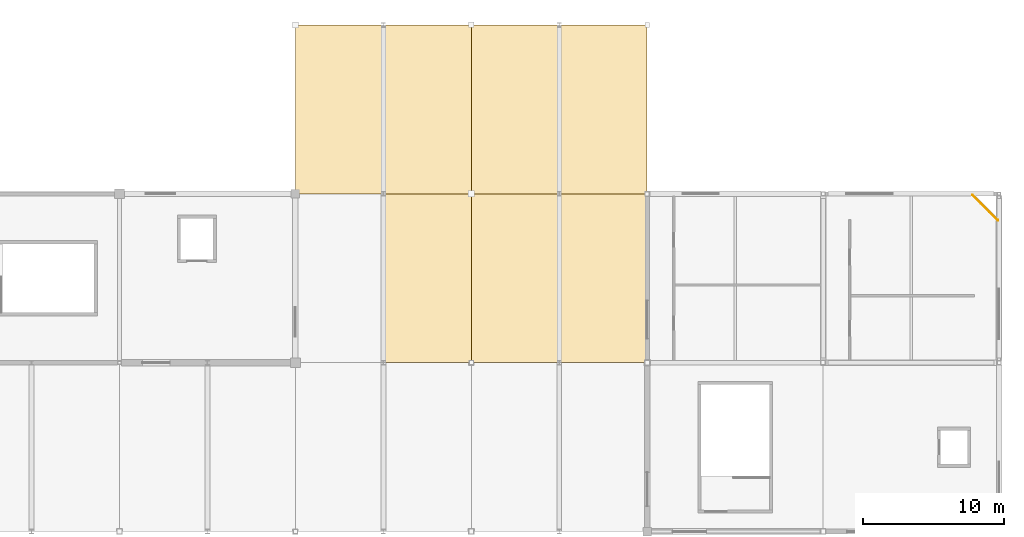
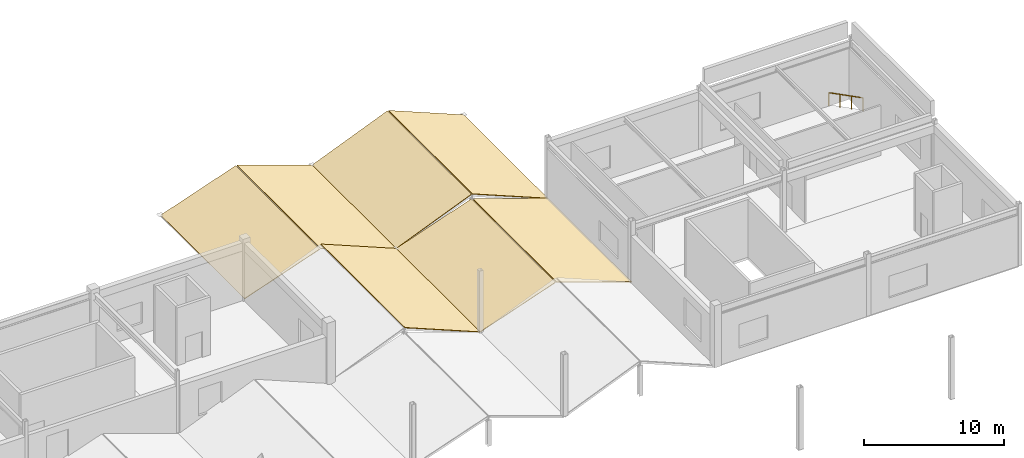
# One storey, part 76 of 76: 7 coverings, 1 railing.
"""IFC4 building model written with IfcOpenShell, lengths in metres."""

import ifcopenshell
import ifcopenshell.guid

model = None  # the IFC model being written
_history = None  # IfcOwnerHistory: only IFC2X3 demands one
_inside = {}  # id of a spatial element -> (the spatial element, [elements in it])
_under = {}  # id of a project, library or spatial element -> (it, [spatial elements below it])
_declared = {}  # id of a project -> (the project, [libraries it declares])
_typed = {}  # id of a type object -> (the type object, [elements of that type])
_made_of = {}  # id of a material, layer set ... -> (it, [elements and type objects made of it])


def new_model(schema):
    """Start an empty IFC model of exactly this schema.

    Asked for "IFC4X3", IfcOpenShell would pick the latest addendum, in which some entities
    have other attributes; the version numbers below select the first issue.
    IFC2X3 requires an IfcOwnerHistory on every rooted entity: one is made here for all.
    """
    global model, _history
    if schema == "IFC4X3":
        model = ifcopenshell.file(schema_version=(4, 3, 0, 0))
    else:
        model = ifcopenshell.file(schema=schema)
    _inside.clear()
    _under.clear()
    _declared.clear()
    _typed.clear()
    _made_of.clear()
    _history = None
    if model.schema == "IFC2X3":
        org = make("IfcOrganization", Name="unknown")
        user = make(
            "IfcPersonAndOrganization",
            ThePerson=make("IfcPerson", FamilyName="unknown"),
            TheOrganization=org,
        )
        app = make(
            "IfcApplication",
            ApplicationDeveloper=org,
            Version="unknown",
            ApplicationFullName="unknown",
            ApplicationIdentifier="unknown",
        )
        _history = make(
            "IfcOwnerHistory",
            OwningUser=user,
            OwningApplication=app,
            ChangeAction="ADDED",
            CreationDate=0,
        )
    return model


def make(cls, **values):
    """One entity of the class cls with the attributes given. An attribute that is None is left unset."""
    return model.create_entity(
        cls, **{name: value for name, value in values.items() if value is not None}
    )


def rooted(cls, **values):
    """An entity with a GlobalId (a new one), such as an element, a storey or a relation."""
    return make(cls, GlobalId=ifcopenshell.guid.new(), OwnerHistory=_history, **values)


def si_unit(unit_type, name, prefix=None):
    """IfcSIUnit, for example si_unit("LENGTHUNIT", "METRE", prefix="MILLI")."""
    return make("IfcSIUnit", UnitType=unit_type, Prefix=prefix, Name=name)


def assignment(units):
    """IfcUnitAssignment: the units of a project."""
    return None if units is None else make("IfcUnitAssignment", Units=units)


def point(xyz):
    """IfcCartesianPoint."""
    return None if xyz is None else make("IfcCartesianPoint", Coordinates=xyz)


def direction(xyz):
    """IfcDirection."""
    return None if xyz is None else make("IfcDirection", DirectionRatios=xyz)


def frame(location, z_axis=None, x_axis=None):
    """IfcAxis2Placement3D, a coordinate frame: its origin and axes. An axis left out is left unset."""
    return make(
        "IfcAxis2Placement3D",
        Location=point(location),
        Axis=direction(z_axis),
        RefDirection=direction(x_axis),
    )


def frame_2d(location, x_axis=None):
    """IfcAxis2Placement2D, a coordinate frame in the plane: its origin and x axis."""
    return make(
        "IfcAxis2Placement2D", Location=point(location), RefDirection=direction(x_axis)
    )


def origin():
    """The frame at (0, 0, 0) with its axes left unset."""
    return frame((0.0, 0.0, 0.0))


def origin_2d():
    """The frame at (0, 0) in the plane with its x axis left unset."""
    return frame_2d((0.0, 0.0))


def place(relative_to, where):
    """IfcLocalPlacement: puts the frame where relative to a parent placement (None: the world)."""
    return make(
        "IfcLocalPlacement", PlacementRelTo=relative_to, RelativePlacement=where
    )


def context(
    kind, dimensions, precision=None, world=None, true_north=None, identifier=None
):
    """IfcGeometricRepresentationContext, for example the 3D "Model" context."""
    return make(
        "IfcGeometricRepresentationContext",
        ContextIdentifier=identifier,
        ContextType=kind,
        CoordinateSpaceDimension=dimensions,
        Precision=precision,
        WorldCoordinateSystem=world,
        TrueNorth=true_north,
    )


def subcontext(parent, identifier, kind, view, scale=None):
    """IfcGeometricRepresentationSubContext, for example "Body" below "Model"."""
    return make(
        "IfcGeometricRepresentationSubContext",
        ContextIdentifier=identifier,
        ContextType=kind,
        ParentContext=parent,
        TargetScale=scale,
        TargetView=view,
    )


def project(units=None, contexts=None):
    """IfcProject with its units and contexts."""
    return rooted(
        "IfcProject",
        Name="project",
        RepresentationContexts=contexts,
        UnitsInContext=assignment(units),
    )


def spatial(cls, under=None, at=None, **own):
    """A site, building, storey or space (cls), placed at a placement, below another one or the project."""
    s = rooted(cls, ObjectPlacement=at, **own)
    if under is not None:
        _under.setdefault(under.id(), (under, []))[1].append(s)
    return s


def polyline(points):
    """IfcPolyline through the points."""
    return make("IfcPolyline", Points=[point(p) for p in points])


def profile(cls, at=None, kind="AREA", **sizes):
    """A parametric profile (cls). Its sizes go by their IFC names, for example OverallWidth=200.0."""
    return make(cls, ProfileType=kind, Position=at, **sizes)


def circle(**sizes):
    """IfcCircleProfileDef."""
    return profile("IfcCircleProfileDef", **sizes)


def outline(outer, holes=None, kind="AREA"):
    """IfcArbitraryClosedProfileDef: a profile drawn as a closed curve; with holes, ...WithVoids."""
    if holes is None:
        return make("IfcArbitraryClosedProfileDef", ProfileType=kind, OuterCurve=outer)
    return make(
        "IfcArbitraryProfileDefWithVoids",
        ProfileType=kind,
        OuterCurve=outer,
        InnerCurves=holes,
    )


def extrude(swept, where, along, depth):
    """IfcExtrudedAreaSolid: the profile swept, set in the frame where, extruded along a direction by depth."""
    return make(
        "IfcExtrudedAreaSolid",
        SweptArea=swept,
        Position=where,
        ExtrudedDirection=direction(along),
        Depth=depth,
    )


def shape(context_of_items, identifier, shape_type, items):
    """IfcShapeRepresentation: the items that make up one representation, for example the "Body"."""
    return make(
        "IfcShapeRepresentation",
        ContextOfItems=context_of_items,
        RepresentationIdentifier=identifier,
        RepresentationType=shape_type,
        Items=items,
    )


def material(Name=None, Category=None):
    """IfcMaterial."""
    return make("IfcMaterial", Name=Name, Category=Category)


def layer(
    of_material, thickness, ventilated=None, Name=None, Category=None, Priority=None
):
    """IfcMaterialLayer: one layer of a wall or slab, of a material (None: an air gap)."""
    return make(
        "IfcMaterialLayer",
        Material=of_material,
        LayerThickness=thickness,
        IsVentilated=ventilated,
        Name=Name,
        Category=Category,
        Priority=Priority,
    )


def layer_set(layers, Name=None):
    """IfcMaterialLayerSet."""
    return make("IfcMaterialLayerSet", MaterialLayers=layers, LayerSetName=Name)


def made_of(thing, what):
    """Note that an element or type object is made of a material, layer set ...; save() writes the relation."""
    if what is not None:
        _made_of.setdefault(what.id(), (what, []))[1].append(thing)
    return thing


def type_object(cls, material=None, **own):
    """A type object (cls), such as IfcWallType, which elements share."""
    return made_of(rooted(cls, **own), material)


def element(
    cls,
    number,
    at=None,
    inside=None,
    cuts=None,
    type_object=None,
    material=None,
    context=None,
    identifier="Body",
    shape_type=None,
    held_by="IfcProductDefinitionShape",
    body=None,
    shapes=None,
    **own,
):
    """One element of the class cls, such as IfcWall. Its Tag is "e" and its number.

    at: its placement. inside: the storey or other place that contains it. cuts: it is an
    opening in that element (IfcRelVoidsElement). A single representation is given by context,
    identifier, shape_type and body (its items); several are given by shapes. held_by: the class
    of the entity that holds the representations. save() writes the other relations.
    """
    e = rooted(cls, Tag="e%d" % number, ObjectPlacement=at, **own)
    if body is not None:
        shapes = [shape(context, identifier, shape_type, body)]
    if shapes is not None:
        e.Representation = make(held_by, Representations=shapes)
    if inside is not None:
        _inside.setdefault(inside.id(), (inside, []))[1].append(e)
    if cuts is not None:
        rooted(
            "IfcRelVoidsElement", RelatingBuildingElement=cuts, RelatedOpeningElement=e
        )
    if type_object is not None:
        _typed.setdefault(type_object.id(), (type_object, []))[1].append(e)
    return made_of(e, material)


def aggregate(whole, parts):
    """IfcRelAggregates: a whole, such as a stair, and the parts it consists of."""
    return rooted("IfcRelAggregates", RelatingObject=whole, RelatedObjects=parts)


def save(model, path):
    """Write the relations noted so far, then the file.

    IfcRelAggregates (storeys below a building ...), IfcRelContainedInSpatialStructure (elements
    in a storey), IfcRelDefinesByType, IfcRelAssociatesMaterial and IfcRelDeclares: one each for
    every whole, place, type object, material and project.
    """
    for whole, parts in _under.values():
        aggregate(whole, parts)
    for where, things in _inside.values():
        rooted(
            "IfcRelContainedInSpatialStructure",
            RelatedElements=things,
            RelatingStructure=where,
        )
    for kind, things in _typed.values():
        rooted("IfcRelDefinesByType", RelatedObjects=things, RelatingType=kind)
    for what, things in _made_of.values():
        rooted("IfcRelAssociatesMaterial", RelatedObjects=things, RelatingMaterial=what)
    for by, libraries in _declared.values():
        rooted("IfcRelDeclares", RelatingContext=by, RelatedDefinitions=libraries)
    model.write(path)


model = new_model("IFC4")

# Units and contexts
model_context = context("Model", 3, precision=1e-05, world=origin(), true_north=direction((0.0, 1.0)))
body_context = subcontext(model_context, "Body", "Model", "MODEL_VIEW")
ifc_project = project(units=[si_unit("LENGTHUNIT", "METRE"), si_unit("AREAUNIT", "SQUARE_METRE"), si_unit("VOLUMEUNIT", "CUBIC_METRE"), si_unit("PLANEANGLEUNIT", "RADIAN"), si_unit("MASSUNIT", "GRAM", prefix="KILO")], contexts=[model_context])

# Site, building, storey
site_placement = place(None, origin())
site = spatial("IfcSite", under=ifc_project, at=site_placement, CompositionType="ELEMENT")
building_placement = place(site_placement, origin())
building = spatial("IfcBuilding", under=site, at=building_placement, Name="Kazenohara Klinker Stadium", CompositionType="ELEMENT")
storey_placement = place(building_placement, frame((0.0, 0.0, 25.800048828125)))
storey = spatial("IfcBuildingStorey", under=building, at=storey_placement, Name="L05", CompositionType="ELEMENT", Elevation=25.800048828125)

# Coverings
ifc_material_1 = material(Name="Insulated standing-seam copper roofing", Category="metal")
ifc_layer_1 = layer(ifc_material_1, 0.050048828125)
ifc_layer_set_1 = layer_set([ifc_layer_1], Name="Insulated standing-seam copper roofing")
covering_type = type_object("IfcCoveringType", Name="COV-ROOF-01", PredefinedType="ROOFING", material=ifc_layer_set_1)
covering_placement = place(storey_placement, frame((156.300048828125, 144.0, 2.52001953125), z_axis=(0.380383442935, 0.0, 0.924828868678), x_axis=(0.924828868678, 0.0, -0.380383442935)))
element("IfcCovering", 1, at=covering_placement, inside=storey, type_object=covering_type, Name="Standing-seam copper stepped wing roofing L05-B 13/N", PredefinedType="ROOFING", context=body_context, shape_type="SweptSolid", body=[
    extrude(outline(polyline([(0.0, 0.0), (6.703890181040846, 0.0), (6.703890181040846, 12.0), (0.0, 12.0), (0.0, 0.0)])), origin(), (0.0, 0.0, -1.0), 0.050048828125),
])
for number, where, z_axis, x_axis, name in (
    (2, (150.0, 156.0, -0.030029296875), (-0.327622925614, 0.0, 0.944808561886), (0.944808561886, 0.0, 0.327622925614), "Standing-seam copper stepped wing roofing L05-A 13/P"),
    (3, (156.300048828125, 156.0, 2.119873046875), (0.327622925614, 0.0, 0.944808561886), (0.944808561886, 0.0, -0.327622925614), "Standing-seam copper stepped wing roofing L05-B 13/P"),
    (4, (162.5, 144.0, -0.030029296875), (-0.327622925614, 0.0, 0.944808561886), (0.944808561886, 0.0, 0.327622925614), "Standing-seam copper stepped wing roofing L05-A 14/N"),
    (5, (168.800048828125, 144.0, 2.119873046875), (0.327622925614, 0.0, 0.944808561886), (0.944808561886, 0.0, -0.327622925614), "Standing-seam copper stepped wing roofing L05-B 14/N"),
):
    element("IfcCovering", number, at=place(storey_placement, frame(where, z_axis=z_axis, x_axis=x_axis)), inside=storey, type_object=covering_type, Name=name, PredefinedType="ROOFING", context=body_context, shape_type="SweptSolid", body=[
        extrude(outline(polyline([(0.0, 0.0), (6.5621242461032345, 0.0), (6.5621242461032345, 12.0), (0.0, 12.0), (0.0, 0.0)])), origin(), (0.0, 0.0, -1.0), 0.050048828125),
    ])
for number, where, z_axis, x_axis, name in (
    (6, (162.5, 156.0, -0.030029296875), (-0.380383442935, 0.0, 0.924828868678), (0.924828868678, 0.0, 0.380383442935), "Standing-seam copper stepped wing roofing L05-A 14/P"),
    (7, (168.800048828125, 156.0, 2.52001953125), (0.380383442935, 0.0, 0.924828868678), (0.924828868678, 0.0, -0.380383442935), "Standing-seam copper stepped wing roofing L05-B 14/P"),
):
    element("IfcCovering", number, at=place(storey_placement, frame(where, z_axis=z_axis, x_axis=x_axis)), inside=storey, type_object=covering_type, Name=name, PredefinedType="ROOFING", context=body_context, shape_type="SweptSolid", body=[
        extrude(outline(polyline([(0.0, 0.0), (6.703890181040846, 0.0), (6.703890181040846, 12.0), (0.0, 12.0), (0.0, 0.0)])), origin(), (0.0, 0.0, -1.0), 0.050048828125),
    ])

# Railing
ifc_material_2 = material(Name="Galvanised powder-coated steel guardrail", Category="steel")
ifc_layer_2 = layer(ifc_material_2, 0.070068359375)
ifc_layer_set_2 = layer_set([ifc_layer_2], Name="Galvanised powder-coated steel guardrail")
railing_type = type_object("IfcRailingType", Name="RL-GRD-1150", PredefinedType="GUARDRAIL", material=ifc_layer_set_2)
railing_placement = place(storey_placement, frame((199.919921875, 154.1201171875, 0.0)))
element("IfcRailing", 8, at=railing_placement, inside=storey, type_object=railing_type, Name="Corner chamfer slab-edge guardrail GR01-SLB-L05-15-12", PredefinedType="GUARDRAIL", context=body_context, shape_type="SweptSolid", body=[
    extrude(circle(Radius=0.02392578125, at=origin_2d()), frame((0.0, 0.0, 1.1259765625), z_axis=(-0.707106781187, 0.707106781187, 0.0), x_axis=(-0.707106781187, -0.707106781187, 0.0)), (0.0, 0.0, 1.0), 2.54541015625),
    extrude(circle(Radius=0.02099609375, at=origin_2d()), origin(), (0.0, 0.0, 1.0), 1.101806640625),
    extrude(circle(Radius=0.02099609375, at=origin_2d()), frame((-0.599853515625, 0.599853515625, 0.0)), (0.0, 0.0, 1.0), 1.101806640625),
    extrude(circle(Radius=0.02099609375, at=origin_2d()), frame((-1.199951171875, 1.199951171875, 0.0)), (0.0, 0.0, 1.0), 1.101806640625),
    extrude(circle(Radius=0.02099609375, at=origin_2d()), frame((-1.7998046875, 1.7998046875, 0.0)), (0.0, 0.0, 1.0), 1.101806640625),
])

save(model, "model.ifc")
